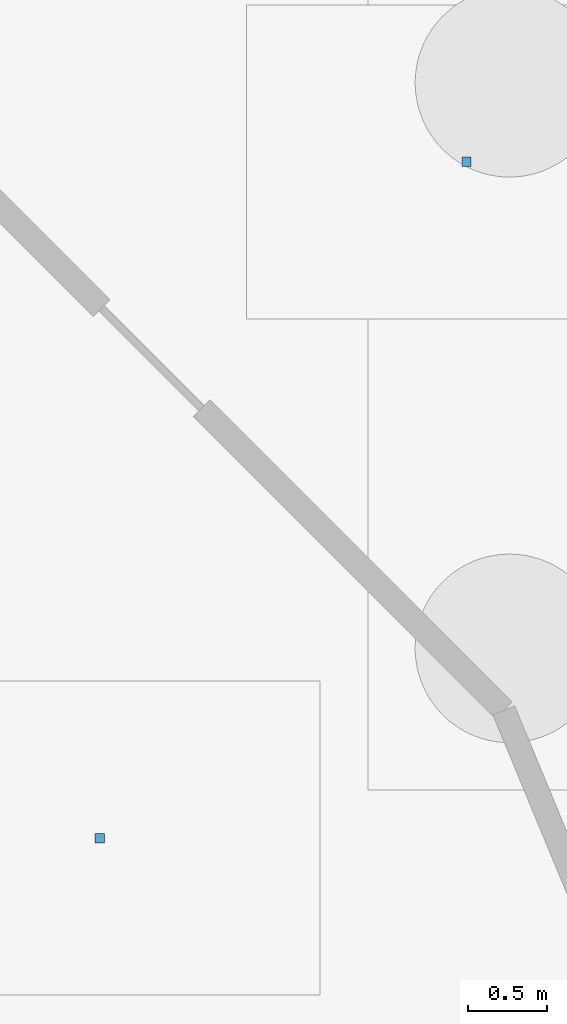
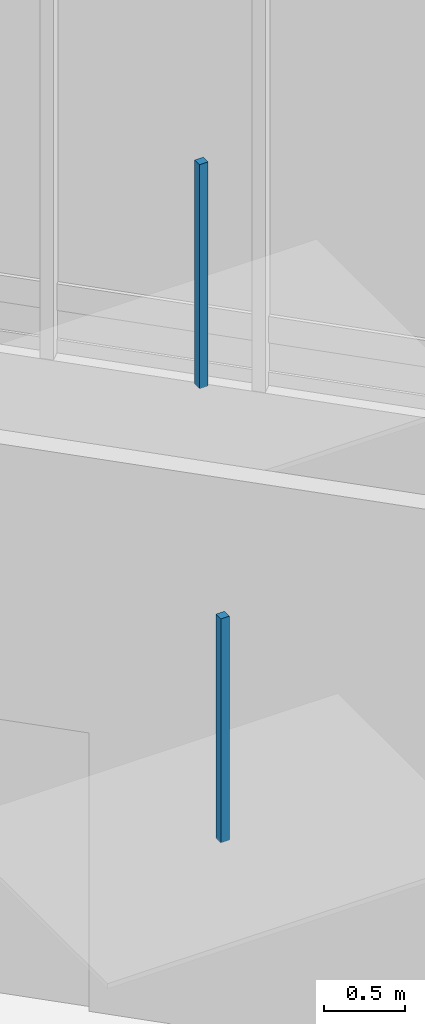
# One storey, part 102 of 119: 2 discrete accessories.
"""IFC4 building model written with IfcOpenShell, lengths in metres."""

import ifcopenshell
import ifcopenshell.guid

model = None  # the IFC model being written
_history = None  # IfcOwnerHistory: only IFC2X3 demands one
_inside = {}  # id of a spatial element -> (the spatial element, [elements in it])
_under = {}  # id of a project, library or spatial element -> (it, [spatial elements below it])
_declared = {}  # id of a project -> (the project, [libraries it declares])
_typed = {}  # id of a type object -> (the type object, [elements of that type])
_made_of = {}  # id of a material, layer set ... -> (it, [elements and type objects made of it])


def new_model(schema):
    """Start an empty IFC model of exactly this schema.

    Asked for "IFC4X3", IfcOpenShell would pick the latest addendum, in which some entities
    have other attributes; the version numbers below select the first issue.
    IFC2X3 requires an IfcOwnerHistory on every rooted entity: one is made here for all.
    """
    global model, _history
    if schema == "IFC4X3":
        model = ifcopenshell.file(schema_version=(4, 3, 0, 0))
    else:
        model = ifcopenshell.file(schema=schema)
    _inside.clear()
    _under.clear()
    _declared.clear()
    _typed.clear()
    _made_of.clear()
    _history = None
    if model.schema == "IFC2X3":
        org = make("IfcOrganization", Name="unknown")
        user = make(
            "IfcPersonAndOrganization",
            ThePerson=make("IfcPerson", FamilyName="unknown"),
            TheOrganization=org,
        )
        app = make(
            "IfcApplication",
            ApplicationDeveloper=org,
            Version="unknown",
            ApplicationFullName="unknown",
            ApplicationIdentifier="unknown",
        )
        _history = make(
            "IfcOwnerHistory",
            OwningUser=user,
            OwningApplication=app,
            ChangeAction="ADDED",
            CreationDate=0,
        )
    return model


def make(cls, **values):
    """One entity of the class cls with the attributes given. An attribute that is None is left unset."""
    return model.create_entity(
        cls, **{name: value for name, value in values.items() if value is not None}
    )


def rooted(cls, **values):
    """An entity with a GlobalId (a new one), such as an element, a storey or a relation."""
    return make(cls, GlobalId=ifcopenshell.guid.new(), OwnerHistory=_history, **values)


def si_unit(unit_type, name, prefix=None):
    """IfcSIUnit, for example si_unit("LENGTHUNIT", "METRE", prefix="MILLI")."""
    return make("IfcSIUnit", UnitType=unit_type, Prefix=prefix, Name=name)


def derived_unit(unit_type, elements):
    """IfcDerivedUnit: a product of units, each with its exponent."""
    return make(
        "IfcDerivedUnit",
        Elements=[
            make("IfcDerivedUnitElement", Unit=unit, Exponent=power)
            for unit, power in elements
        ],
        UnitType=unit_type,
    )


def assignment(units):
    """IfcUnitAssignment: the units of a project."""
    return None if units is None else make("IfcUnitAssignment", Units=units)


def point(xyz):
    """IfcCartesianPoint."""
    return None if xyz is None else make("IfcCartesianPoint", Coordinates=xyz)


def direction(xyz):
    """IfcDirection."""
    return None if xyz is None else make("IfcDirection", DirectionRatios=xyz)


def frame(location, z_axis=None, x_axis=None):
    """IfcAxis2Placement3D, a coordinate frame: its origin and axes. An axis left out is left unset."""
    return make(
        "IfcAxis2Placement3D",
        Location=point(location),
        Axis=direction(z_axis),
        RefDirection=direction(x_axis),
    )


def frame_2d(location, x_axis=None):
    """IfcAxis2Placement2D, a coordinate frame in the plane: its origin and x axis."""
    return make(
        "IfcAxis2Placement2D", Location=point(location), RefDirection=direction(x_axis)
    )


def origin():
    """The frame at (0, 0, 0) with its axes left unset."""
    return frame((0.0, 0.0, 0.0))


def origin_2d():
    """The frame at (0, 0) in the plane with its x axis left unset."""
    return frame_2d((0.0, 0.0))


def place(relative_to, where):
    """IfcLocalPlacement: puts the frame where relative to a parent placement (None: the world)."""
    return make(
        "IfcLocalPlacement", PlacementRelTo=relative_to, RelativePlacement=where
    )


def context(
    kind, dimensions, precision=None, world=None, true_north=None, identifier=None
):
    """IfcGeometricRepresentationContext, for example the 3D "Model" context."""
    return make(
        "IfcGeometricRepresentationContext",
        ContextIdentifier=identifier,
        ContextType=kind,
        CoordinateSpaceDimension=dimensions,
        Precision=precision,
        WorldCoordinateSystem=world,
        TrueNorth=true_north,
    )


def subcontext(parent, identifier, kind, view, scale=None):
    """IfcGeometricRepresentationSubContext, for example "Body" below "Model"."""
    return make(
        "IfcGeometricRepresentationSubContext",
        ContextIdentifier=identifier,
        ContextType=kind,
        ParentContext=parent,
        TargetScale=scale,
        TargetView=view,
    )


def project(units=None, contexts=None):
    """IfcProject with its units and contexts."""
    return rooted(
        "IfcProject",
        Name="project",
        RepresentationContexts=contexts,
        UnitsInContext=assignment(units),
    )


def spatial(cls, under=None, at=None, **own):
    """A site, building, storey or space (cls), placed at a placement, below another one or the project."""
    s = rooted(cls, ObjectPlacement=at, **own)
    if under is not None:
        _under.setdefault(under.id(), (under, []))[1].append(s)
    return s


def profile(cls, at=None, kind="AREA", **sizes):
    """A parametric profile (cls). Its sizes go by their IFC names, for example OverallWidth=200.0."""
    return make(cls, ProfileType=kind, Position=at, **sizes)


def rectangle(**sizes):
    """IfcRectangleProfileDef."""
    return profile("IfcRectangleProfileDef", **sizes)


def extrude(swept, where, along, depth):
    """IfcExtrudedAreaSolid: the profile swept, set in the frame where, extruded along a direction by depth."""
    return make(
        "IfcExtrudedAreaSolid",
        SweptArea=swept,
        Position=where,
        ExtrudedDirection=direction(along),
        Depth=depth,
    )


def shape(context_of_items, identifier, shape_type, items):
    """IfcShapeRepresentation: the items that make up one representation, for example the "Body"."""
    return make(
        "IfcShapeRepresentation",
        ContextOfItems=context_of_items,
        RepresentationIdentifier=identifier,
        RepresentationType=shape_type,
        Items=items,
    )


def material(Name=None, Category=None):
    """IfcMaterial."""
    return make("IfcMaterial", Name=Name, Category=Category)


def layer(
    of_material, thickness, ventilated=None, Name=None, Category=None, Priority=None
):
    """IfcMaterialLayer: one layer of a wall or slab, of a material (None: an air gap)."""
    return make(
        "IfcMaterialLayer",
        Material=of_material,
        LayerThickness=thickness,
        IsVentilated=ventilated,
        Name=Name,
        Category=Category,
        Priority=Priority,
    )


def layer_set(layers, Name=None):
    """IfcMaterialLayerSet."""
    return make("IfcMaterialLayerSet", MaterialLayers=layers, LayerSetName=Name)


def made_of(thing, what):
    """Note that an element or type object is made of a material, layer set ...; save() writes the relation."""
    if what is not None:
        _made_of.setdefault(what.id(), (what, []))[1].append(thing)
    return thing


def type_object(cls, material=None, **own):
    """A type object (cls), such as IfcWallType, which elements share."""
    return made_of(rooted(cls, **own), material)


def element(
    cls,
    number,
    at=None,
    inside=None,
    cuts=None,
    type_object=None,
    material=None,
    context=None,
    identifier="Body",
    shape_type=None,
    held_by="IfcProductDefinitionShape",
    body=None,
    shapes=None,
    **own,
):
    """One element of the class cls, such as IfcWall. Its Tag is "e" and its number.

    at: its placement. inside: the storey or other place that contains it. cuts: it is an
    opening in that element (IfcRelVoidsElement). A single representation is given by context,
    identifier, shape_type and body (its items); several are given by shapes. held_by: the class
    of the entity that holds the representations. save() writes the other relations.
    """
    e = rooted(cls, Tag="e%d" % number, ObjectPlacement=at, **own)
    if body is not None:
        shapes = [shape(context, identifier, shape_type, body)]
    if shapes is not None:
        e.Representation = make(held_by, Representations=shapes)
    if inside is not None:
        _inside.setdefault(inside.id(), (inside, []))[1].append(e)
    if cuts is not None:
        rooted(
            "IfcRelVoidsElement", RelatingBuildingElement=cuts, RelatedOpeningElement=e
        )
    if type_object is not None:
        _typed.setdefault(type_object.id(), (type_object, []))[1].append(e)
    return made_of(e, material)


def aggregate(whole, parts):
    """IfcRelAggregates: a whole, such as a stair, and the parts it consists of."""
    return rooted("IfcRelAggregates", RelatingObject=whole, RelatedObjects=parts)


def save(model, path):
    """Write the relations noted so far, then the file.

    IfcRelAggregates (storeys below a building ...), IfcRelContainedInSpatialStructure (elements
    in a storey), IfcRelDefinesByType, IfcRelAssociatesMaterial and IfcRelDeclares: one each for
    every whole, place, type object, material and project.
    """
    for whole, parts in _under.values():
        aggregate(whole, parts)
    for where, things in _inside.values():
        rooted(
            "IfcRelContainedInSpatialStructure",
            RelatedElements=things,
            RelatingStructure=where,
        )
    for kind, things in _typed.values():
        rooted("IfcRelDefinesByType", RelatedObjects=things, RelatingType=kind)
    for what, things in _made_of.values():
        rooted("IfcRelAssociatesMaterial", RelatedObjects=things, RelatingMaterial=what)
    for by, libraries in _declared.values():
        rooted("IfcRelDeclares", RelatingContext=by, RelatedDefinitions=libraries)
    model.write(path)


model = new_model("IFC4")

# Units and contexts
model_context = context("Model", 3, precision=1e-05, world=origin(), true_north=direction((0.0, 1.0)))
body_context = subcontext(model_context, "Body", "Model", "MODEL_VIEW")
ifc_project = project(units=[si_unit("LENGTHUNIT", "METRE"), si_unit("AREAUNIT", "SQUARE_METRE"), si_unit("VOLUMEUNIT", "CUBIC_METRE"), si_unit("PLANEANGLEUNIT", "RADIAN"), si_unit("MASSUNIT", "GRAM", prefix="KILO"), derived_unit("THERMALTRANSMITTANCEUNIT", [(si_unit("MASSUNIT", "GRAM", prefix="KILO"), 1), (si_unit("TIMEUNIT", "SECOND"), -3), (si_unit("THERMODYNAMICTEMPERATUREUNIT", "KELVIN"), -1)])], contexts=[model_context])

# Site, building, storey
site_placement = place(None, origin())
site = spatial("IfcSite", under=ifc_project, at=site_placement, CompositionType="ELEMENT")
building_placement = place(site_placement, origin())
building = spatial("IfcBuilding", under=site, at=building_placement, Name="Makaiwela Harbour Ferry Terminal", CompositionType="ELEMENT")
storey_placement = place(building_placement, origin())
storey = spatial("IfcBuildingStorey", under=building, at=storey_placement, Name="L00", CompositionType="ELEMENT", Elevation=0.0)

# Discrete accessories
ifc_material = material(Name="Marine grade 316L brushed stainless steel", Category="steel")
ifc_layer = layer(ifc_material, 1.0)
ifc_layer_set = layer_set([ifc_layer], Name="Marine grade 316L brushed stainless steel")
discrete_accessory_type = type_object("IfcDiscreteAccessoryType", Name="INT-ACC-HNG", PredefinedType="BRACKET", material=ifc_layer_set)
for number, where, z_axis, x_axis, name in (
    (1, (48.74072265625, 75.814697265625, 3.135009765625), (0.0, 0.0, 1.0), (1.0, 0.0, 0.0), "Ceiling Suspension Bracket HNG-004"),
    (2, (51.07421875, 80.119384765625, 3.135009765625), (0.0, 0.0, 1.0), (1.0, 0.0, 0.0), "Ceiling Suspension Bracket HNG-007"),
):
    element("IfcDiscreteAccessory", number, at=place(storey_placement, frame(where, z_axis=z_axis, x_axis=x_axis)), inside=storey, type_object=discrete_accessory_type, Name=name, PredefinedType="BRACKET", context=body_context, shape_type="SweptSolid", body=[
        extrude(rectangle(XDim=0.06005859375, YDim=0.06005859375, at=origin_2d()), origin(), (0.0, 0.0, 1.0), 1.68994140625),
    ])

save(model, "model.ifc")
